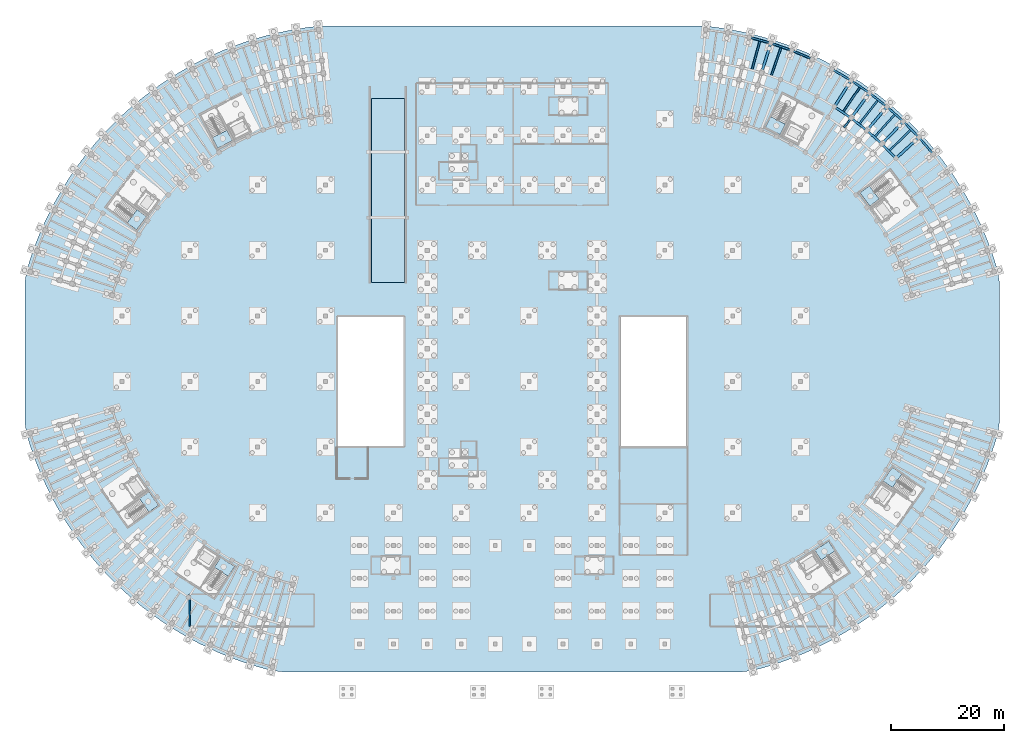
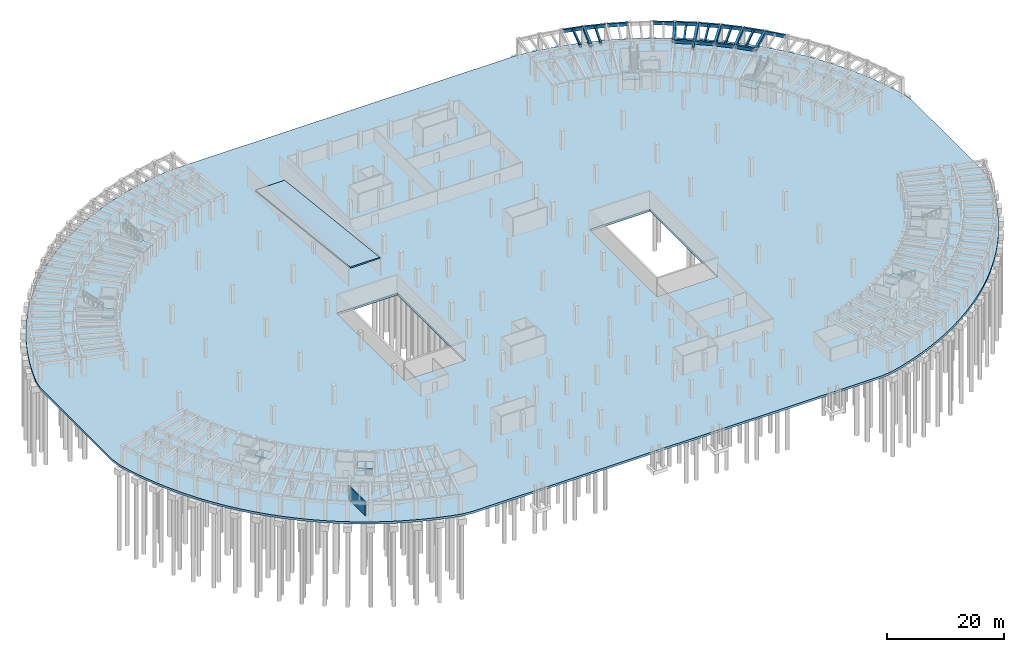
# One storey, part 17 of 29: 26 beams, 10 slabs, 1 wall, 8 elements without a shape of their own.
"""IFC4 building model written with IfcOpenShell, lengths in metres."""

from ifc_helpers import new_model, si_unit, direction, frame, frame_2d, origin, origin_2d, place, context, subcontext, project, spatial, polyline, rectangle, outline, extrude, material, layer, layer_set, material_profile, profile_set, type_object, element, aggregate, save


model = new_model("IFC4")

# Units and contexts
model_context = context("Model", 3, precision=1e-05, world=origin(), true_north=direction((0.0, 1.0)))
body_context = subcontext(model_context, "Body", "Model", "MODEL_VIEW")
ifc_project = project(units=[si_unit("LENGTHUNIT", "METRE"), si_unit("AREAUNIT", "SQUARE_METRE"), si_unit("VOLUMEUNIT", "CUBIC_METRE"), si_unit("PLANEANGLEUNIT", "RADIAN"), si_unit("MASSUNIT", "GRAM", prefix="KILO")], contexts=[model_context])

# Site, building, storey
site_placement = place(None, origin())
site = spatial("IfcSite", under=ifc_project, at=site_placement, CompositionType="ELEMENT")
building_placement = place(site_placement, origin())
building = spatial("IfcBuilding", under=site, at=building_placement, Name="Tanwirah Colonnade Gardens", CompositionType="ELEMENT")
storey_placement = place(building_placement, frame((0.0, 0.0, -4.199951171875)))
storey = spatial("IfcBuildingStorey", under=building, at=storey_placement, Name="B1", CompositionType="ELEMENT", Elevation=-4.199951171875)

# Beams
ifc_material_1 = material(Name="Precast concrete C40/50", Category="concrete")
ifc_material_profile_1 = material_profile(ifc_material_1, rectangle(XDim=0.320068359375, YDim=0.52001953125, at=origin_2d()), Name="PC-BM 320x520")
ifc_profile_set_1 = profile_set([ifc_material_profile_1], Name="Precast concrete C40/50")
beam_type_1 = type_object("IfcBeamType", Name="BM-PC320", PredefinedType="BEAM", material=ifc_profile_set_1)
beam_1_placement = place(storey_placement, frame((151.727783203125, 102.14990234375, 3.659912109375), z_axis=(0.590895676149, 0.806747977939, 0.0), x_axis=(-0.806747977939, 0.590895676149, 0.0)))
element("IfcBeam", 1, at=beam_1_placement, inside=storey, type_object=beam_type_1, Name="Block B B1 Corridor Tie Beam 10", PredefinedType="BEAM", context=body_context, shape_type="SweptSolid", body=[
    extrude(rectangle(XDim=0.320068359375, YDim=0.52001953125, at=origin_2d()), origin(), (0.0, 0.0, 1.0), 1.900146484375),
])
ifc_material_profile_2 = material_profile(ifc_material_1, rectangle(XDim=0.3798828125, YDim=0.6201171875, at=origin_2d()), Name="PC-BM 380x620")
ifc_profile_set_2 = profile_set([ifc_material_profile_2], Name="Precast concrete C40/50")
beam_type_2 = type_object("IfcBeamType", Name="BM-PC380", PredefinedType="BEAM", material=ifc_profile_set_2)
beam_2_placement = place(storey_placement, frame((160.780517578125, 96.7841796875, 3.60986328125), z_axis=(-0.698829447339, 0.71528833594, 0.0), x_axis=(-0.71528833594, -0.698829447339, 0.0)))
element("IfcBeam", 2, at=beam_2_placement, inside=storey, type_object=beam_type_2, Name="Block B B1 Circumferential Beam 7-R2", PredefinedType="BEAM", context=body_context, shape_type="SweptSolid", body=[
    extrude(rectangle(XDim=0.3798828125, YDim=0.6201171875, at=origin_2d()), origin(), (0.0, 0.0, 1.0), 3.263427734375),
])
for number, where, z_axis, x_axis, name in (
    (3, (158.283447265625, 99.32568359375, 3.60986328125), (-0.744409136578, 0.667723773262, 0.0), (-0.667723773262, -0.744409136578, 0.0), "Block B B1 Circumferential Beam 8-R2"),
    (4, (155.624755859375, 101.697265625, 3.60986328125), (-0.786839882256, 0.617157192044, 0.0), (-0.617157192044, -0.786839882256, 0.0), "Block B B1 Circumferential Beam 9-R2"),
    (5, (152.815185546875, 103.888427734375, 3.60986328125), (-0.825782284145, 0.563989024, 0.0), (-0.563989024, -0.825782284145, 0.0), "Block B B1 Circumferential Beam 10-R2"),
):
    element("IfcBeam", number, at=place(storey_placement, frame(where, z_axis=z_axis, x_axis=x_axis)), inside=storey, type_object=beam_type_2, Name=name, PredefinedType="BEAM", context=body_context, shape_type="SweptSolid", body=[
        extrude(rectangle(XDim=0.3798828125, YDim=0.6201171875, at=origin_2d()), origin(), (0.0, 0.0, 1.0), 3.26318359375),
    ])
ifc_material_2 = material(Name="Precast concrete C45/55", Category="concrete")
ifc_material_profile_3 = material_profile(ifc_material_2, rectangle(XDim=0.449951171875, YDim=0.699951171875, at=origin_2d()), Name="PC-BM 450x700")
ifc_profile_set_3 = profile_set([ifc_material_profile_3], Name="Precast concrete C45/55")
beam_type_3 = type_object("IfcBeamType", Name="BM-PC450", PredefinedType="BEAM", material=ifc_profile_set_3)
for number, where, z_axis, x_axis, name in (
    (6, (160.995849609375, 96.7783203125, 3.570068359375), (0.737952652624, 0.674852489427, 0.0), (-0.674852489427, 0.737952652624, 0.0), "Block B B1 Outer Radial Precast Girder 7"),
    (7, (158.4990234375, 99.333984375, 3.570068359375), (0.69185131599, 0.722039996512, 0.0), (-0.722039996512, 0.69185131599, 0.0), "Block B B1 Outer Radial Precast Girder 8"),
    (8, (155.839111328125, 101.7197265625, 3.570068359375), (0.642794509039, 0.766038653822, 0.0), (-0.766038653822, 0.642794509039, 0.0), "Block B B1 Outer Radial Precast Girder 9"),
    (9, (153.02783203125, 103.9248046875, 3.570068359375), (0.590909677043, 0.806737722917, 0.0), (-0.806737722917, 0.590909677043, 0.0), "Block B B1 Outer Radial Precast Girder 10"),
    (10, (150.077392578125, 105.93994140625, 3.570068359375), (0.536453149191, 0.843930102985, 0.0), (-0.843930102985, 0.536453149191, 0.0), "Block B B1 Outer Radial Precast Girder 11"),
    (11, (137.147705078125, 111.938720703125, 3.570068359375), (0.297943486107, 0.954583510798, 0.0), (-0.954583510798, 0.297943486107, 0.0), "Block B B1 Outer Radial Precast Girder 15"),
):
    element("IfcBeam", number, at=place(storey_placement, frame(where, z_axis=z_axis, x_axis=x_axis)), inside=storey, type_object=beam_type_3, Name=name, PredefinedType="BEAM", context=body_context, shape_type="SweptSolid", body=[
        extrude(rectangle(XDim=0.449951171875, YDim=0.699951171875, at=origin_2d()), origin(), (0.0, 0.0, 1.0), 5.199951171875),
    ])
ifc_material_profile_4 = material_profile(ifc_material_1, rectangle(XDim=0.300048828125, YDim=0.5, at=origin_2d()), Name="PC-JST 300x500")
ifc_profile_set_4 = profile_set([ifc_material_profile_4], Name="Precast concrete C40/50")
beam_type_4 = type_object("IfcBeamType", Name="JST-PC300", PredefinedType="JOIST", material=ifc_profile_set_4)
for number, where, z_axis, x_axis, name in (
    (12, (159.7470703125, 98.0556640625, 3.669921875), (0.715297399369, 0.698820170327, 0.0), (-0.698820170327, 0.715297399369, 0.0), "Block B B1 Precast Floor Joist 7"),
    (13, (157.168701171875, 100.5263671875, 3.669921875), (0.667678987176, 0.744449306591, 0.0), (-0.744449306591, 0.667678987176, 0.0), "Block B B1 Precast Floor Joist 8"),
    (14, (154.43310546875, 102.82177734375, 3.669921875), (0.617177687243, 0.786823806433, 0.0), (-0.786823806433, 0.617177687243, 0.0), "Block B B1 Precast Floor Joist 9"),
    (15, (151.55224609375, 104.931884765625, 3.669921875), (0.563973225998, 0.825793073571, 0.0), (-0.825793073571, 0.563973225998, 0.0), "Block B B1 Precast Floor Joist 10"),
    (16, (138.83447265625, 111.349853515625, 3.669921875), (0.3292586038, 0.944239785131, 0.0), (-0.944239785131, 0.3292586038, 0.0), "Block B B1 Precast Floor Joist 14"),
    (17, (135.42578125, 112.413818359375, 3.669921875), (0.266281476085, 0.963895313555, 0.0), (-0.963895313555, 0.266281476085, 0.0), "Block B B1 Precast Floor Joist 15"),
):
    element("IfcBeam", number, at=place(storey_placement, frame(where, z_axis=z_axis, x_axis=x_axis)), inside=storey, type_object=beam_type_4, Name=name, PredefinedType="JOIST", context=body_context, shape_type="SweptSolid", body=[
        extrude(rectangle(XDim=0.300048828125, YDim=0.5, at=origin_2d()), origin(), (0.0, 0.0, 1.0), 5.260009765625),
    ])
ifc_material_profile_5 = material_profile(ifc_material_1, rectangle(XDim=0.3349609375, YDim=0.695068359375, at=origin_2d()), Name="PC-SP 335x695")
ifc_profile_set_5 = profile_set([ifc_material_profile_5], Name="Precast concrete C40/50")
beam_type_5 = type_object("IfcBeamType", Name="SP-PC300", PredefinedType="SPANDREL", material=ifc_profile_set_5)
beam_3_placement = place(storey_placement, frame((167.398681640625, 97.52001953125, 3.572509765625), z_axis=(-0.650170105297, 0.759788677317, 0.0), x_axis=(-0.759788677317, -0.650170105297, 0.0)))
element("IfcBeam", 18, at=beam_3_placement, inside=storey, type_object=beam_type_5, Name="Block B B1 Circumferential Beam 6-R3", PredefinedType="SPANDREL", context=body_context, shape_type="SweptSolid", body=[
    extrude(rectangle(XDim=0.3349609375, YDim=0.695068359375, at=origin_2d()), origin(), (0.0, 0.0, 1.0), 3.625732421875),
])
beam_4_placement = place(storey_placement, frame((164.839111328125, 100.49609375, 3.572509765625), z_axis=(-0.698844493997, 0.715273635199, 0.0), x_axis=(-0.715273635199, -0.698844493997, 0.0)))
element("IfcBeam", 19, at=beam_4_placement, inside=storey, type_object=beam_type_5, Name="Block B B1 Circumferential Beam 7-R3", PredefinedType="SPANDREL", context=body_context, shape_type="SweptSolid", body=[
    extrude(rectangle(XDim=0.3349609375, YDim=0.695068359375, at=origin_2d()), origin(), (0.0, 0.0, 1.0), 3.6259765625),
])
beam_5_placement = place(storey_placement, frame((162.0888671875, 103.296875, 3.572509765625), z_axis=(-0.744444790955, 0.667684021989, 0.0), x_axis=(-0.667684021989, -0.744444790955, 0.0)))
element("IfcBeam", 20, at=beam_5_placement, inside=storey, type_object=beam_type_5, Name="Block B B1 Circumferential Beam 8-R3", PredefinedType="SPANDREL", context=body_context, shape_type="SweptSolid", body=[
    extrude(rectangle(XDim=0.3349609375, YDim=0.695068359375, at=origin_2d()), origin(), (0.0, 0.0, 1.0), 3.625732421875),
])
beam_6_placement = place(storey_placement, frame((159.159912109375, 105.91064453125, 3.572509765625), z_axis=(-0.786843799845, 0.617152197311, 0.0), x_axis=(-0.617152197311, -0.786843799845, 0.0)))
element("IfcBeam", 21, at=beam_6_placement, inside=storey, type_object=beam_type_5, Name="Block B B1 Circumferential Beam 9-R3", PredefinedType="SPANDREL", context=body_context, shape_type="SweptSolid", body=[
    extrude(rectangle(XDim=0.3349609375, YDim=0.695068359375, at=origin_2d()), origin(), (0.0, 0.0, 1.0), 3.62548828125),
])
for number, where, z_axis, x_axis, name in (
    (22, (156.0654296875, 108.325439453125, 3.572509765625), (-0.825782625102, 0.563988524776, 0.0), (-0.563988524776, -0.825782625102, 0.0), "Block B B1 Circumferential Beam 10-R3"),
    (23, (152.818359375, 110.53125, 3.572509765625), (-0.861136912545, 0.5083731089, 0.0), (-0.5083731089, -0.861136912545, 0.0), "Block B B1 Circumferential Beam 11-R3"),
    (24, (145.924072265625, 114.27783203125, 3.572509765625), (-0.920494456807, 0.390755620545, 0.0), (-0.390755620545, -0.920494456807, 0.0), "Block B B1 Circumferential Beam 13-R3"),
    (25, (142.306884765625, 115.802490234375, 3.572509765625), (-0.944236700093, 0.329267450863, 0.0), (-0.329267450863, -0.944236700093, 0.0), "Block B B1 Circumferential Beam 14-R3"),
    (26, (138.59716796875, 117.085693359375, 3.572509765625), (-0.963888380927, 0.266306569792, 0.0), (-0.266306569792, -0.963888380927, 0.0), "Block B B1 Circumferential Beam 15-R3"),
):
    element("IfcBeam", number, at=place(storey_placement, frame(where, z_axis=z_axis, x_axis=x_axis)), inside=storey, type_object=beam_type_5, Name=name, PredefinedType="SPANDREL", context=body_context, shape_type="SweptSolid", body=[
        extrude(rectangle(XDim=0.3349609375, YDim=0.695068359375, at=origin_2d()), origin(), (0.0, 0.0, 1.0), 3.625732421875),
    ])

# Slab
ifc_material_3 = material(Name="Concrete C45/55", Category="concrete")
ifc_layer_1 = layer(ifc_material_3, 0.449951171875)
ifc_layer_set_1 = layer_set([ifc_layer_1], Name="Concrete C45/55")
slab_type_1 = type_object("IfcSlabType", Name="SL-B1-450", PredefinedType="BASESLAB", material=ifc_layer_set_1)
slab_1_placement = place(storey_placement, frame((0.0, 0.0, -0.449951171875)))
element("IfcSlab", 27, at=slab_1_placement, inside=storey, type_object=slab_type_1, Name="Shared Basement Base Slab", PredefinedType="BASESLAB", context=body_context, shape_type="SweptSolid", body=[
    extrude(outline(polyline([(52.510986328125, 5.848388671875), (52.545654296875, 5.845947265625), (133.454345703125, 5.845947265625), (133.489013671875, 5.848388671875), (135.51220703125, 6.078857421875), (135.570068359375, 6.08984375), (137.460693359375, 6.59423828125), (137.473388671875, 6.597900390625), (139.3466796875, 7.163818359375), (139.359130859375, 7.167724609375), (141.212646484375, 7.794921875), (141.22509765625, 7.79931640625), (143.057373046875, 8.486572265625), (143.0693359375, 8.4912109375), (144.878173828125, 9.23828125), (144.89013671875, 9.243408203125), (146.673583984375, 10.049072265625), (146.685302734375, 10.0546875), (148.44140625, 10.918212890625), (148.452880859375, 10.924072265625), (150.1796875, 11.8447265625), (150.191162109375, 11.85107421875), (151.886962890625, 12.82763671875), (151.898193359375, 12.83447265625), (153.56103515625, 13.865966796875), (153.572021484375, 13.873046875), (155.200439453125, 14.95849609375), (155.211181640625, 14.9658203125), (156.802978515625, 16.10400390625), (156.8134765625, 16.11181640625), (158.367431640625, 17.30126953125), (158.377685546875, 17.309326171875), (159.8916015625, 18.54931640625), (159.901611328125, 18.5576171875), (161.374267578125, 19.846435546875), (161.384033203125, 19.85498046875), (162.813720703125, 21.191162109375), (162.822998046875, 21.200439453125), (164.208251953125, 22.58251953125), (164.217529296875, 22.592041015625), (165.556640625, 24.018798828125), (165.5654296875, 24.0283203125), (166.857421875, 25.498291015625), (166.86572265625, 25.50830078125), (168.10888671875, 27.01953125), (168.116943359375, 27.02978515625), (169.31005859375, 28.5810546875), (169.31787109375, 28.591552734375), (170.45947265625, 30.180908203125), (170.466796875, 30.191650390625), (171.5556640625, 31.8173828125), (171.56298828125, 31.828369140625), (172.59814453125, 33.489013671875), (172.604736328125, 33.500244140625), (173.5849609375, 35.194091796875), (173.591552734375, 35.205322265625), (174.515869140625, 36.93017578125), (174.521728515625, 36.94189453125), (175.38916015625, 38.696044921875), (175.394775390625, 38.707763671875), (176.204345703125, 40.4892578125), (176.20947265625, 40.501220703125), (176.96044921875, 42.308349609375), (176.96533203125, 42.320556640625), (177.656494140625, 44.1513671875), (177.660888671875, 44.16357421875), (178.2919921875, 46.015869140625), (178.2958984375, 46.0283203125), (178.8662109375, 47.900390625), (178.879150390625, 47.957763671875), (179.179931640625, 49.9716796875), (179.18359375, 50.00634765625), (179.184326171875, 50.041259765625), (179.184326171875, 74.65869140625), (179.18359375, 74.693603515625), (179.179931640625, 74.728515625), (178.879150390625, 76.7421875), (178.87353515625, 76.771240234375), (178.865966796875, 76.7998046875), (178.29150390625, 78.685546875), (178.28759765625, 78.697998046875), (177.651123046875, 80.563720703125), (177.646728515625, 80.576171875), (176.94921875, 82.420166015625), (176.9443359375, 82.432373046875), (176.186279296875, 84.252197265625), (176.180908203125, 84.26416015625), (175.363525390625, 86.05810546875), (175.35791015625, 86.070068359375), (174.481689453125, 87.8359375), (174.4755859375, 87.84765625), (173.541748046875, 89.583740234375), (173.53515625, 89.59521484375), (172.544677734375, 91.299560546875), (172.537841796875, 91.31103515625), (171.491455078125, 92.981689453125), (171.484375, 92.99267578125), (170.383544921875, 94.628173828125), (170.3759765625, 94.638916015625), (169.221923828125, 96.2373046875), (169.214111328125, 96.247802734375), (168.0078125, 97.80712890625), (167.999755859375, 97.8173828125), (166.74267578125, 99.336181640625), (166.734130859375, 99.34619140625), (165.427978515625, 100.822509765625), (165.4189453125, 100.832275390625), (164.064697265625, 102.264892578125), (164.0556640625, 102.2744140625), (162.65478515625, 103.66162109375), (162.645263671875, 103.670654296875), (161.19970703125, 105.010986328125), (161.18994140625, 105.019775390625), (159.700927734375, 106.3115234375), (159.690673828125, 106.320068359375), (158.159912109375, 107.562255859375), (158.1494140625, 107.5703125), (156.57861328125, 108.76123046875), (156.56787109375, 108.76904296875), (154.95849609375, 109.90771484375), (154.94775390625, 109.9150390625), (153.3017578125, 111.0), (153.29052734375, 111.007080078125), (151.609619140625, 112.037109375), (151.598388671875, 112.043701171875), (149.884521484375, 113.017822265625), (149.872802734375, 113.024169921875), (148.1279296875, 113.941162109375), (148.115966796875, 113.947021484375), (146.341796875, 114.80615234375), (146.329833984375, 114.811767578125), (144.528076171875, 115.61181640625), (144.515869140625, 115.616943359375), (142.688720703125, 116.357177734375), (142.676513671875, 116.36181640625), (140.825927734375, 117.04150390625), (140.8134765625, 117.0458984375), (138.941650390625, 117.6640625), (138.92919921875, 117.66796875), (137.037841796875, 118.224365234375), (137.025146484375, 118.227783203125), (135.116455078125, 118.721435546875), (135.103759765625, 118.724609375), (133.179931640625, 119.155029296875), (133.1669921875, 119.157470703125), (131.22998046875, 119.5244140625), (131.217041015625, 119.526611328125), (129.26904296875, 119.829345703125), (129.256103515625, 119.8310546875), (127.299072265625, 120.069580078125), (127.269775390625, 120.072021484375), (127.240234375, 120.072265625), (58.759765625, 120.072265625), (58.730224609375, 120.072021484375), (58.700927734375, 120.069580078125), (56.743896484375, 119.8310546875), (56.73095703125, 119.829345703125), (54.782958984375, 119.526611328125), (54.77001953125, 119.5244140625), (52.8330078125, 119.157470703125), (52.820068359375, 119.155029296875), (50.896240234375, 118.724609375), (50.883544921875, 118.721435546875), (48.974853515625, 118.227783203125), (48.962158203125, 118.224365234375), (47.07080078125, 117.66796875), (47.058349609375, 117.6640625), (45.1865234375, 117.0458984375), (45.174072265625, 117.04150390625), (43.323486328125, 116.36181640625), (43.311279296875, 116.357177734375), (41.484130859375, 115.616943359375), (41.471923828125, 115.61181640625), (39.670166015625, 114.811767578125), (39.658203125, 114.80615234375), (37.884033203125, 113.947021484375), (37.8720703125, 113.941162109375), (36.127197265625, 113.024169921875), (36.115478515625, 113.017822265625), (34.401611328125, 112.043701171875), (34.390380859375, 112.037109375), (32.70947265625, 111.007080078125), (32.6982421875, 111.0), (31.05224609375, 109.9150390625), (31.04150390625, 109.90771484375), (29.43212890625, 108.76904296875), (29.42138671875, 108.76123046875), (27.8505859375, 107.5703125), (27.840087890625, 107.562255859375), (26.309326171875, 106.320068359375), (26.299072265625, 106.3115234375), (24.81005859375, 105.019775390625), (24.80029296875, 105.010986328125), (23.354736328125, 103.670654296875), (23.34521484375, 103.66162109375), (21.9443359375, 102.2744140625), (21.935302734375, 102.264892578125), (20.5810546875, 100.832275390625), (20.572021484375, 100.822509765625), (19.265869140625, 99.34619140625), (19.25732421875, 99.336181640625), (18.000244140625, 97.8173828125), (17.9921875, 97.80712890625), (16.785888671875, 96.247802734375), (16.778076171875, 96.2373046875), (15.6240234375, 94.638916015625), (15.616455078125, 94.628173828125), (14.515625, 92.99267578125), (14.508544921875, 92.981689453125), (13.462158203125, 91.31103515625), (13.455322265625, 91.299560546875), (12.46484375, 89.59521484375), (12.458251953125, 89.583740234375), (11.5244140625, 87.84765625), (11.518310546875, 87.8359375), (10.64208984375, 86.070068359375), (10.636474609375, 86.05810546875), (9.819091796875, 84.26416015625), (9.813720703125, 84.252197265625), (9.0556640625, 82.432373046875), (9.05078125, 82.420166015625), (8.353271484375, 80.576171875), (8.348876953125, 80.563720703125), (7.71240234375, 78.697998046875), (7.70849609375, 78.685546875), (7.134033203125, 76.7998046875), (7.12646484375, 76.771240234375), (7.120849609375, 76.7421875), (6.820068359375, 74.728515625), (6.81640625, 74.693603515625), (6.815673828125, 74.65869140625), (6.815673828125, 50.041259765625), (6.81640625, 50.00634765625), (6.820068359375, 49.9716796875), (7.120849609375, 47.957763671875), (7.1337890625, 47.900390625), (7.7041015625, 46.0283203125), (7.7080078125, 46.015869140625), (8.339111328125, 44.16357421875), (8.343505859375, 44.1513671875), (9.03466796875, 42.320556640625), (9.03955078125, 42.308349609375), (9.79052734375, 40.501220703125), (9.795654296875, 40.4892578125), (10.605224609375, 38.707763671875), (10.61083984375, 38.696044921875), (11.478271484375, 36.94189453125), (11.484130859375, 36.93017578125), (12.408447265625, 35.205322265625), (12.4150390625, 35.194091796875), (13.395263671875, 33.500244140625), (13.40185546875, 33.489013671875), (14.43701171875, 31.828369140625), (14.4443359375, 31.8173828125), (15.533203125, 30.191650390625), (15.54052734375, 30.180908203125), (16.68212890625, 28.591552734375), (16.68994140625, 28.5810546875), (17.883056640625, 27.02978515625), (17.89111328125, 27.01953125), (19.13427734375, 25.50830078125), (19.142578125, 25.498291015625), (20.4345703125, 24.0283203125), (20.443359375, 24.018798828125), (21.782470703125, 22.592041015625), (21.791748046875, 22.58251953125), (23.177001953125, 21.200439453125), (23.186279296875, 21.191162109375), (24.615966796875, 19.85498046875), (24.625732421875, 19.846435546875), (26.098388671875, 18.5576171875), (26.1083984375, 18.54931640625), (27.622314453125, 17.309326171875), (27.632568359375, 17.30126953125), (29.1865234375, 16.11181640625), (29.197021484375, 16.10400390625), (30.788818359375, 14.9658203125), (30.799560546875, 14.95849609375), (32.427978515625, 13.873046875), (32.43896484375, 13.865966796875), (34.101806640625, 12.83447265625), (34.113037109375, 12.82763671875), (35.808837890625, 11.85107421875), (35.8203125, 11.8447265625), (37.547119140625, 10.924072265625), (37.55859375, 10.918212890625), (39.314697265625, 10.0546875), (39.326416015625, 10.049072265625), (41.10986328125, 9.243408203125), (41.121826171875, 9.23828125), (42.9306640625, 8.4912109375), (42.942626953125, 8.486572265625), (44.77490234375, 7.79931640625), (44.787353515625, 7.794921875), (46.640869140625, 7.167724609375), (46.6533203125, 7.163818359375), (48.526611328125, 6.597900390625), (48.539306640625, 6.59423828125), (50.429931640625, 6.08984375), (50.48779296875, 6.078857421875), (52.510986328125, 5.848388671875)]), holes=[polyline([(74.0, 68.800048828125), (74.0, 45.60009765625), (62.0, 45.60009765625), (62.0, 68.800048828125), (74.0, 68.800048828125)]), polyline([(124.0, 45.60009765625), (112.0, 45.60009765625), (112.0, 68.800048828125), (124.0, 68.800048828125), (124.0, 45.60009765625)])]), origin(), (0.0, 0.0, 1.0), 0.449951171875),
])

# Stair, slab
stair_type = type_object("IfcStairType", Name="ST-RES175", PredefinedType="HALF_TURN_STAIR", material=ifc_material_1)
stair_1_placement = place(storey_placement, origin())
stair_1 = element("IfcStair", 28, at=stair_1_placement, inside=storey, type_object=stair_type, Name="B1 Block A Core 1 Exit Stair", PredefinedType="HALF_TURN_STAIR")
ifc_layer_2 = layer(ifc_material_1, 0.205078125)
ifc_layer_set_2 = layer_set([ifc_layer_2], Name="Precast concrete C40/50")
slab_type_2 = type_object("IfcSlabType", Name="SL-LND-205", PredefinedType="LANDING", material=ifc_layer_set_2)
slab_2_placement = place(storey_placement, frame((0.0, 0.0, 1.89501953125)))
slab_2 = element("IfcSlab", 29, at=slab_2_placement, type_object=slab_type_2, Name="ST-A1 landing 1", PredefinedType="LANDING", context=body_context, shape_type="SweptSolid", body=[
    extrude(outline(polyline([(39.95703125, 100.318359375), (40.89453125, 98.478515625), (43.496337890625, 99.80419921875), (42.558837890625, 101.64404296875), (39.95703125, 100.318359375)])), origin(), (0.0, 0.0, 1.0), 0.204833984375),
])
aggregate(stair_1, [slab_2])

stair_2_placement = place(storey_placement, origin())
stair_2 = element("IfcStair", 30, at=stair_2_placement, inside=storey, type_object=stair_type, Name="B1 Block A Core 2 Exit Stair", PredefinedType="HALF_TURN_STAIR")
slab_3_placement = place(storey_placement, frame((0.0, 0.0, 1.89501953125)))
slab_3 = element("IfcSlab", 31, at=slab_3_placement, type_object=slab_type_2, Name="ST-A2 landing 1", PredefinedType="LANDING", context=body_context, shape_type="SweptSolid", body=[
    extrude(outline(polyline([(24.90478515625, 85.280029296875), (26.553955078125, 84.037353515625), (28.311279296875, 86.369384765625), (26.662109375, 87.612060546875), (24.90478515625, 85.280029296875)])), origin(), (0.0, 0.0, 1.0), 0.204833984375),
])
aggregate(stair_2, [slab_3])

stair_3_placement = place(storey_placement, origin())
stair_3 = element("IfcStair", 32, at=stair_3_placement, inside=storey, type_object=stair_type, Name="B1 Block B Core 1 Exit Stair", PredefinedType="HALF_TURN_STAIR")
slab_4_placement = place(storey_placement, frame((0.0, 0.0, 1.89501953125)))
slab_4 = element("IfcSlab", 33, at=slab_4_placement, type_object=slab_type_2, Name="ST-B1 landing 1", PredefinedType="LANDING", context=body_context, shape_type="SweptSolid", body=[
    extrude(outline(polyline([(156.16015625, 91.828857421875), (154.510986328125, 90.586181640625), (156.268310546875, 88.254150390625), (157.91748046875, 89.496826171875), (156.16015625, 91.828857421875)])), origin(), (0.0, 0.0, 1.0), 0.204833984375),
])
aggregate(stair_3, [slab_4])

stair_4_placement = place(storey_placement, origin())
stair_4 = element("IfcStair", 34, at=stair_4_placement, inside=storey, type_object=stair_type, Name="B1 Block B Core 2 Exit Stair", PredefinedType="HALF_TURN_STAIR")
slab_5_placement = place(storey_placement, frame((0.0, 0.0, 1.89501953125)))
slab_5 = element("IfcSlab", 35, at=slab_5_placement, type_object=slab_type_2, Name="ST-B2 landing 1", PredefinedType="LANDING", context=body_context, shape_type="SweptSolid", body=[
    extrude(outline(polyline([(138.736572265625, 104.041015625), (137.799072265625, 102.201171875), (140.40087890625, 100.87548828125), (141.33837890625, 102.715576171875), (138.736572265625, 104.041015625)])), origin(), (0.0, 0.0, 1.0), 0.204833984375),
])
aggregate(stair_4, [slab_5])

stair_5_placement = place(storey_placement, origin())
stair_5 = element("IfcStair", 36, at=stair_5_placement, inside=storey, type_object=stair_type, Name="B1 Block C Core 1 Exit Stair", PredefinedType="HALF_TURN_STAIR")
slab_6_placement = place(storey_placement, frame((0.0, 0.0, 1.89501953125)))
slab_6 = element("IfcSlab", 37, at=slab_6_placement, type_object=slab_type_2, Name="ST-C1 landing 1", PredefinedType="LANDING", context=body_context, shape_type="SweptSolid", body=[
    extrude(outline(polyline([(28.75732421875, 34.117431640625), (30.448974609375, 35.3017578125), (28.77392578125, 37.69384765625), (27.08251953125, 36.50927734375), (28.75732421875, 34.117431640625)])), origin(), (0.0, 0.0, 1.0), 0.204833984375),
])
aggregate(stair_5, [slab_6])

stair_6_placement = place(storey_placement, origin())
stair_6 = element("IfcStair", 38, at=stair_6_placement, inside=storey, type_object=stair_type, Name="B1 Block C Core 2 Exit Stair", PredefinedType="HALF_TURN_STAIR")
slab_7_placement = place(storey_placement, frame((0.0, 0.0, 1.89501953125)))
slab_7 = element("IfcSlab", 39, at=slab_7_placement, type_object=slab_type_2, Name="ST-C2 landing 1", PredefinedType="LANDING", context=body_context, shape_type="SweptSolid", body=[
    extrude(outline(polyline([(42.77783203125, 22.7529296875), (43.902587890625, 24.48486328125), (41.45361328125, 26.0751953125), (40.328857421875, 24.34326171875), (42.77783203125, 22.7529296875)])), origin(), (0.0, 0.0, 1.0), 0.204833984375),
])
aggregate(stair_6, [slab_7])

stair_7_placement = place(storey_placement, origin())
stair_7 = element("IfcStair", 40, at=stair_7_placement, inside=storey, type_object=stair_type, Name="B1 Block D Core 1 Exit Stair", PredefinedType="HALF_TURN_STAIR")
slab_8_placement = place(storey_placement, frame((0.0, 0.0, 1.89501953125)))
slab_8 = element("IfcSlab", 41, at=slab_8_placement, type_object=slab_type_2, Name="ST-D1 landing 1", PredefinedType="LANDING", context=body_context, shape_type="SweptSolid", body=[
    extrude(outline(polyline([(150.09912109375, 27.218994140625), (148.974609375, 28.950927734375), (146.525634765625, 27.360595703125), (147.650390625, 25.628662109375), (150.09912109375, 27.218994140625)])), origin(), (0.0, 0.0, 1.0), 0.204833984375),
])
aggregate(stair_7, [slab_8])

stair_8_placement = place(storey_placement, origin())
stair_8 = element("IfcStair", 42, at=stair_8_placement, inside=storey, type_object=stair_type, Name="B1 Block D Core 2 Exit Stair", PredefinedType="HALF_TURN_STAIR")
slab_9_placement = place(storey_placement, frame((0.0, 0.0, 1.89501953125)))
slab_9 = element("IfcSlab", 43, at=slab_9_placement, type_object=slab_type_2, Name="ST-D2 landing 1", PredefinedType="LANDING", context=body_context, shape_type="SweptSolid", body=[
    extrude(outline(polyline([(161.946044921875, 40.83447265625), (160.25439453125, 42.018798828125), (158.57958984375, 39.626953125), (160.271240234375, 38.442626953125), (161.946044921875, 40.83447265625)])), origin(), (0.0, 0.0, 1.0), 0.204833984375),
])
aggregate(stair_8, [slab_9])

# Slab
ifc_material_4 = material(Name="Concrete C40/50", Category="concrete")
ifc_layer_3 = layer(ifc_material_4, 0.25)
ifc_layer_set_3 = layer_set([ifc_layer_3], Name="Concrete C40/50")
slab_type_3 = type_object("IfcSlabType", Name="SL-RMP-250", PredefinedType="USERDEFINED", material=ifc_layer_set_3)
slab_10_placement = place(storey_placement, frame((68.080078125, 107.300048828125, 0.27001953125), z_axis=(0.0, 0.111030644163, 0.99381698318), x_axis=(1.0, 0.0, 0.0)))
element("IfcSlab", 44, at=slab_10_placement, inside=storey, type_object=slab_type_3, Name="Basement Vehicle Ramp Structural Slab R1", ObjectType="PAVING", PredefinedType="USERDEFINED", context=body_context, shape_type="SweptSolid", body=[
    extrude(outline(polyline([(0.0, 0.0), (5.83984375, 0.0), (5.83984375, -32.7827745715855), (0.0, -32.7827745715855), (0.0, 0.0)])), origin(), (0.0, 0.0, -1.0), 0.25),
])

# Wall
ifc_material_5 = material(Name="Autoclaved aerated masonry blockwork", Category="masonry")
ifc_layer_4 = layer(ifc_material_5, 0.219970703125)
ifc_layer_set_4 = layer_set([ifc_layer_4], Name="Autoclaved aerated masonry blockwork")
wall_type = type_object("IfcWallType", Name="IW-FFL220", PredefinedType="PARTITIONING", material=ifc_layer_set_4)
wall_placement = place(storey_placement, frame((36.0, 13.89990234375, 0.0), z_axis=(0.0, 0.0, 1.0), x_axis=(0.0, 1.0, 0.0)))
element("IfcWall", 45, at=wall_placement, inside=storey, type_object=wall_type, Name="Interior Partition IW-B1-STR1-W", PredefinedType="PARTITIONING", context=body_context, shape_type="SweptSolid", body=[
    extrude(rectangle(XDim=5.7001953125, YDim=0.219970703125, at=frame_2d((2.85009765625, 0.0))), origin(), (0.0, 0.0, 1.0), 2.849853515625),
])

save(model, "model.ifc")
